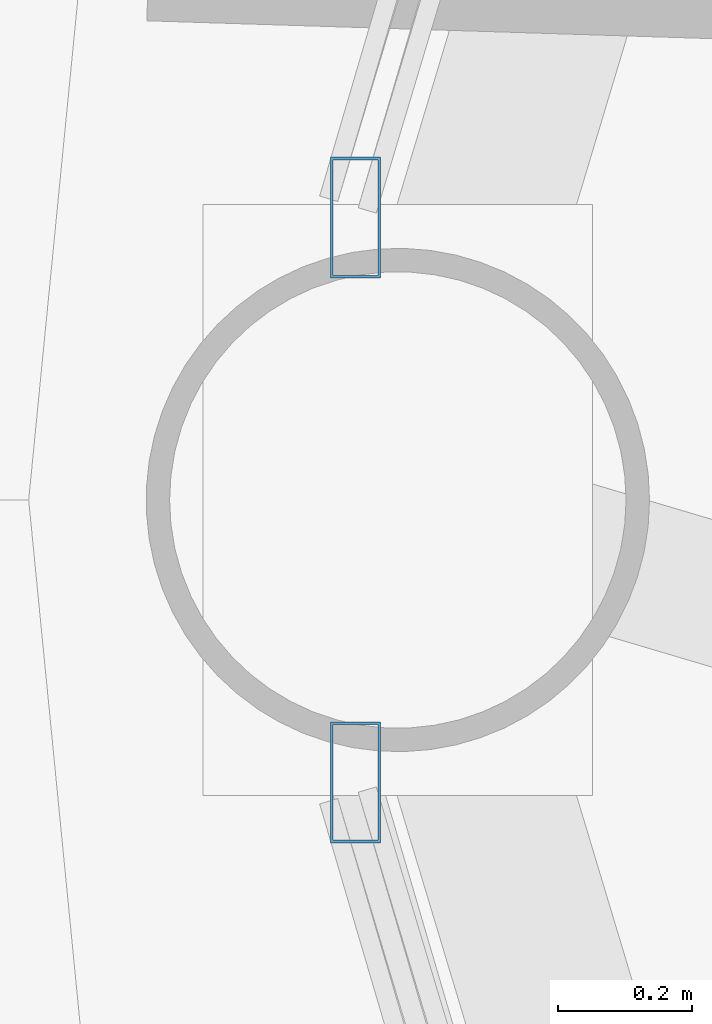
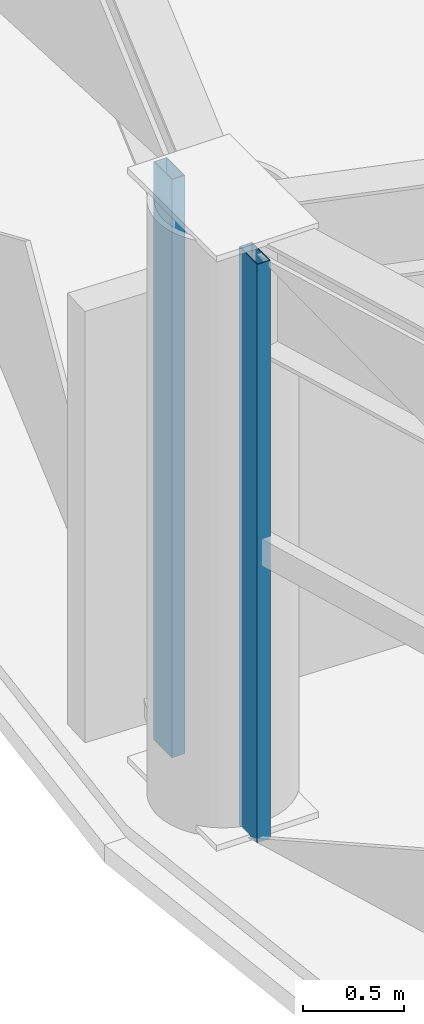
# One storey, part 7 of 30: 2 members, 2 elements without a shape of their own.
"""IFC4 building model written with IfcOpenShell, lengths in metres."""

from ifc_helpers import new_model, si_unit, direction, frame, origin, origin_2d, place, context, subcontext, project, spatial, hollow_rectangle, extrude, material, layer, layer_set, material_profile, profile_set, type_object, element, aggregate, save


model = new_model("IFC4")

# Units and contexts
model_context = context("Model", 3, precision=1e-05, world=origin(), true_north=direction((0.0, 1.0)))
body_context = subcontext(model_context, "Body", "Model", "MODEL_VIEW")
ifc_project = project(units=[si_unit("LENGTHUNIT", "METRE"), si_unit("AREAUNIT", "SQUARE_METRE"), si_unit("VOLUMEUNIT", "CUBIC_METRE"), si_unit("PLANEANGLEUNIT", "RADIAN"), si_unit("MASSUNIT", "GRAM", prefix="KILO")], contexts=[model_context])

# Site, building, storey
site_placement = place(None, origin())
site = spatial("IfcSite", under=ifc_project, at=site_placement, CompositionType="ELEMENT")
building_placement = place(site_placement, origin())
building = spatial("IfcBuilding", under=site, at=building_placement, Name="Vantalir Tower", CompositionType="ELEMENT")
storey_placement = place(building_placement, frame((0.0, 0.0, 130.949951171875)))
storey = spatial("IfcBuildingStorey", under=building, at=storey_placement, Name="L32", CompositionType="ELEMENT", Elevation=130.949951171875)

# Curtain wall, member
ifc_material_1 = material(Name="Champagne-silver PVDF aluminium and double-silver Low-E glass", Category="aluminium")
ifc_layer = layer(ifc_material_1, 0.199951171875)
ifc_layer_set = layer_set([ifc_layer], Name="Champagne-silver PVDF aluminium and double-silver Low-E glass")
curtain_wall_type = type_object("IfcCurtainWallType", Name="CW-DIAMOND-Z2", PredefinedType="USERDEFINED", material=ifc_layer_set)
curtain_wall_1_placement = place(storey_placement, origin())
curtain_wall_1 = element("IfcCurtainWall", 1, at=curtain_wall_1_placement, inside=storey, type_object=curtain_wall_type, Name="L32 Quilted Pyramid-Diamond Curtain Wall S06", ObjectType="UNITISED CURTAIN WALL", PredefinedType="USERDEFINED")
ifc_material_2 = material(Name="Champagne-silver PVDF aluminium 6063-T6", Category="aluminium")
ifc_material_profile = material_profile(ifc_material_2, hollow_rectangle(XDim=0.074951171875, YDim=0.179931640625, WallThickness=0.00390625, at=origin_2d()), Name="Champagne-silver PVDF aluminium 6063-T6")
ifc_profile_set = profile_set([ifc_material_profile], Name="Champagne-silver PVDF aluminium 6063-T6")
member_type = type_object("IfcMemberType", Name="CWM-180x75", PredefinedType="MULLION", material=ifc_profile_set)
member_1_placement = place(storey_placement, frame((6.343994140625, 25.4208984375, 0.045166015625), z_axis=(0.0, 0.0, 1.0), x_axis=(1.0, 0.0, 0.0)))
member_1 = element("IfcMember", 2, at=member_1_placement, type_object=member_type, Name="CW-L32-S06 Mullion 2", PredefinedType="MULLION", context=body_context, shape_type="SweptSolid", body=[
    extrude(hollow_rectangle(XDim=0.074951171875, YDim=0.179931640625, WallThickness=0.00390625, at=origin_2d()), origin(), (0.0, 0.0, 1.0), 3.47998046875),
])
aggregate(curtain_wall_1, [member_1])

curtain_wall_2_placement = place(storey_placement, origin())
curtain_wall_2 = element("IfcCurtainWall", 3, at=curtain_wall_2_placement, inside=storey, type_object=curtain_wall_type, Name="L32 Quilted Pyramid-Diamond Curtain Wall S07", ObjectType="UNITISED CURTAIN WALL", PredefinedType="USERDEFINED")
member_2_placement = place(storey_placement, frame((6.343994140625, 24.5791015625, 0.045166015625), z_axis=(0.0, 0.0, 1.0), x_axis=(1.0, 0.0, 0.0)))
member_2 = element("IfcMember", 4, at=member_2_placement, type_object=member_type, Name="CW-L32-S07 Mullion 1", PredefinedType="MULLION", context=body_context, shape_type="SweptSolid", body=[
    extrude(hollow_rectangle(XDim=0.074951171875, YDim=0.179931640625, WallThickness=0.00390625, at=origin_2d()), origin(), (0.0, 0.0, 1.0), 3.47998046875),
])
aggregate(curtain_wall_2, [member_2])

save(model, "model.ifc")
